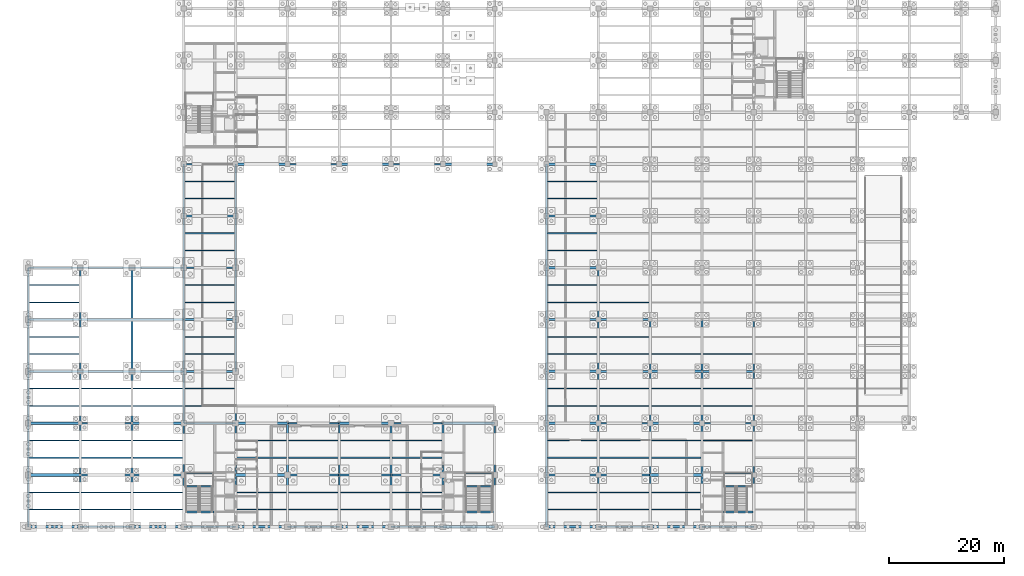
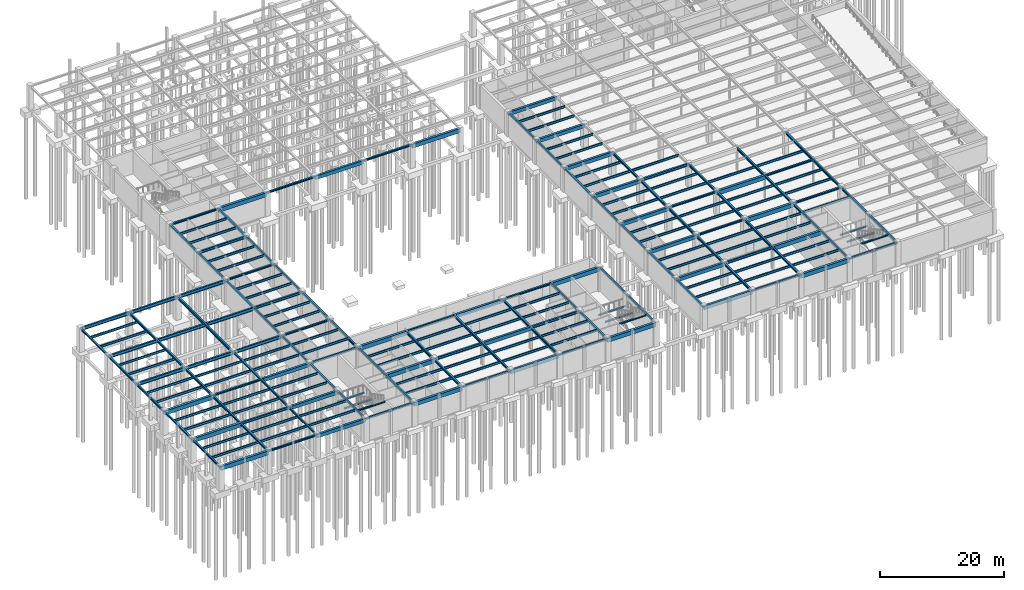
# One storey, part 33 of 49: 211 beams.
"""IFC4 building model written with IfcOpenShell, lengths in metres."""

from ifc_helpers import new_model, si_unit, direction, frame, origin, origin_2d, place, context, subcontext, project, spatial, rectangle, i_section, extrude, material, material_profile, profile_set, type_object, element, save


model = new_model("IFC4")

# Units and contexts
model_context = context("Model", 3, precision=1e-05, world=origin(), true_north=direction((0.0, 1.0)))
body_context = subcontext(model_context, "Body", "Model", "MODEL_VIEW")
ifc_project = project(units=[si_unit("LENGTHUNIT", "METRE"), si_unit("AREAUNIT", "SQUARE_METRE"), si_unit("VOLUMEUNIT", "CUBIC_METRE"), si_unit("PLANEANGLEUNIT", "RADIAN"), si_unit("MASSUNIT", "GRAM", prefix="KILO")], contexts=[model_context])

# Site, building, storey
site_placement = place(None, origin())
site = spatial("IfcSite", under=ifc_project, at=site_placement, CompositionType="ELEMENT")
building_placement = place(site_placement, origin())
building = spatial("IfcBuilding", under=site, at=building_placement, Name="Lykobir Media Centre", CompositionType="ELEMENT")
storey_placement = place(building_placement, frame((0.0, 0.0, -4.800048828125)))
storey = spatial("IfcBuildingStorey", under=building, at=storey_placement, Name="B1", CompositionType="ELEMENT", Elevation=-4.800048828125)

# Beams
ifc_material_1 = material(Name="Steel S355", Category="steel")
ifc_material_profile_1 = material_profile(ifc_material_1, i_section(OverallWidth=0.300048828125, OverallDepth=0.43994140625, WebThickness=0.011474609375, FlangeThickness=0.02099609375, at=origin_2d()), Name="HEA 450")
ifc_profile_set_1 = profile_set([ifc_material_profile_1], Name="Steel S355")
beam_type_1 = type_object("IfcBeamType", Name="BM-HEA450", PredefinedType="BEAM", material=ifc_profile_set_1)
for number, where, z_axis, x_axis, name in (
    (1, (9.0, 0.0, 4.330078125), (0.0, 1.0, 0.0), (-1.0, 0.0, 0.0), "Beam BM-B1-0090-0000-0090-0090--47"),
    (2, (9.0, 9.0, 4.330078125), (0.0, 1.0, 0.0), (-1.0, 0.0, 0.0), "Beam BM-B1-0090-0090-0090-0180--47"),
    (3, (9.0, 18.0, 4.330078125), (0.0, 1.0, 0.0), (-1.0, 0.0, 0.0), "Beam BM-B1-0090-0180-0090-0270--47"),
    (4, (9.0, 27.0, 4.330078125), (0.0, 1.0, 0.0), (-1.0, 0.0, 0.0), "Beam BM-B1-0090-0270-0090-0360--47"),
    (5, (9.0, 36.0, 4.330078125), (0.0, 1.0, 0.0), (-1.0, 0.0, 0.0), "Beam BM-B1-0090-0360-0090-0450--47"),
    (6, (36.0, 0.0, 4.330078125), (0.0, 1.0, 0.0), (-1.0, 0.0, 0.0), "Beam BM-B1-0360-0000-0360-0090--47"),
    (7, (36.0, 9.0, 4.330078125), (0.0, 1.0, 0.0), (-1.0, 0.0, 0.0), "Beam BM-B1-0360-0090-0360-0180--47"),
    (8, (36.0, 18.0, 4.330078125), (0.0, 1.0, 0.0), (-1.0, 0.0, 0.0), "Beam BM-B1-0360-0180-0360-0270--47"),
    (9, (36.0, 27.0, 4.330078125), (0.0, 1.0, 0.0), (-1.0, 0.0, 0.0), "Beam BM-B1-0360-0270-0360-0360--47"),
    (10, (36.0, 36.0, 4.330078125), (0.0, 1.0, 0.0), (-1.0, 0.0, 0.0), "Beam BM-B1-0360-0360-0360-0450--47"),
    (11, (36.0, 45.0, 4.330078125), (0.0, 1.0, 0.0), (-1.0, 0.0, 0.0), "Beam BM-B1-0360-0450-0360-0540--47"),
    (12, (36.0, 54.0, 4.330078125), (0.0, 1.0, 0.0), (-1.0, 0.0, 0.0), "Beam BM-B1-0360-0540-0360-0630--47"),
    (13, (45.0, 0.0, 4.330078125), (0.0, 1.0, 0.0), (-1.0, 0.0, 0.0), "Beam BM-B1-0450-0000-0450-0090--47"),
    (14, (45.0, 9.0, 4.330078125), (0.0, 1.0, 0.0), (-1.0, 0.0, 0.0), "Beam BM-B1-0450-0090-0450-0180--47"),
    (15, (54.0, 0.0, 4.330078125), (0.0, 1.0, 0.0), (-1.0, 0.0, 0.0), "Beam BM-B1-0540-0000-0540-0090--47"),
    (16, (54.0, 9.0, 4.330078125), (0.0, 1.0, 0.0), (-1.0, 0.0, 0.0), "Beam BM-B1-0540-0090-0540-0180--47"),
    (17, (63.0, 0.0, 4.330078125), (0.0, 1.0, 0.0), (-1.0, 0.0, 0.0), "Beam BM-B1-0630-0000-0630-0090--47"),
    (18, (63.0, 9.0, 4.330078125), (0.0, 1.0, 0.0), (-1.0, 0.0, 0.0), "Beam BM-B1-0630-0090-0630-0180--47"),
    (19, (72.0, 0.0, 4.330078125), (0.0, 1.0, 0.0), (-1.0, 0.0, 0.0), "Beam BM-B1-0720-0000-0720-0090--47"),
    (20, (72.0, 9.0, 4.330078125), (0.0, 1.0, 0.0), (-1.0, 0.0, 0.0), "Beam BM-B1-0720-0090-0720-0180--47"),
    (21, (99.0, 0.0, 4.330078125), (0.0, 1.0, 0.0), (-1.0, 0.0, 0.0), "Beam BM-B1-0990-0000-0990-0090--47"),
    (22, (99.0, 9.0, 4.330078125), (0.0, 1.0, 0.0), (-1.0, 0.0, 0.0), "Beam BM-B1-0990-0090-0990-0180--47"),
    (23, (99.0, 18.0, 4.330078125), (0.0, 1.0, 0.0), (-1.0, 0.0, 0.0), "Beam BM-B1-0990-0180-0990-0270--47"),
    (24, (99.0, 27.0, 4.330078125), (0.0, 1.0, 0.0), (-1.0, 0.0, 0.0), "Beam BM-B1-0990-0270-0990-0360--47"),
    (25, (99.0, 36.0, 4.330078125), (0.0, 1.0, 0.0), (-1.0, 0.0, 0.0), "Beam BM-B1-0990-0360-0990-0450--47"),
    (26, (108.0, 0.0, 4.330078125), (0.0, 1.0, 0.0), (-1.0, 0.0, 0.0), "Beam BM-B1-1080-0000-1080-0090--47"),
    (27, (108.0, 9.0, 4.330078125), (0.0, 1.0, 0.0), (-1.0, 0.0, 0.0), "Beam BM-B1-1080-0090-1080-0180--47"),
    (28, (108.0, 18.0, 4.330078125), (0.0, 1.0, 0.0), (-1.0, 0.0, 0.0), "Beam BM-B1-1080-0180-1080-0270--47"),
    (29, (108.0, 27.0, 4.330078125), (0.0, 1.0, 0.0), (-1.0, 0.0, 0.0), "Beam BM-B1-1080-0270-1080-0360--47"),
    (30, (117.0, 0.0, 4.330078125), (0.0, 1.0, 0.0), (-1.0, 0.0, 0.0), "Beam BM-B1-1170-0000-1170-0090--47"),
    (31, (117.0, 9.0, 4.330078125), (0.0, 1.0, 0.0), (-1.0, 0.0, 0.0), "Beam BM-B1-1170-0090-1170-0180--47"),
    (32, (117.0, 18.0, 4.330078125), (0.0, 1.0, 0.0), (-1.0, 0.0, 0.0), "Beam BM-B1-1170-0180-1170-0270--47"),
    (33, (117.0, 27.0, 4.330078125), (0.0, 1.0, 0.0), (-1.0, 0.0, 0.0), "Beam BM-B1-1170-0270-1170-0360--47"),
    (34, (126.0, 0.0, 4.330078125), (0.0, 1.0, 0.0), (-1.0, 0.0, 0.0), "Beam BM-B1-1260-0000-1260-0090--47"),
    (35, (126.0, 9.0, 4.330078125), (0.0, 1.0, 0.0), (-1.0, 0.0, 0.0), "Beam BM-B1-1260-0090-1260-0180--47"),
    (36, (126.0, 18.0, 4.330078125), (0.0, 1.0, 0.0), (-1.0, 0.0, 0.0), "Beam BM-B1-1260-0180-1260-0270--47"),
    (37, (126.0, 27.0, 4.330078125), (0.0, 1.0, 0.0), (-1.0, 0.0, 0.0), "Beam BM-B1-1260-0270-1260-0360--47"),
):
    element("IfcBeam", number, at=place(storey_placement, frame(where, z_axis=z_axis, x_axis=x_axis)), inside=storey, type_object=beam_type_1, Name=name, PredefinedType="BEAM", context=body_context, shape_type="SweptSolid", body=[
        extrude(i_section(OverallWidth=0.300048828125, OverallDepth=0.43994140625, WebThickness=0.011474609375, FlangeThickness=0.02099609375, at=origin_2d()), origin(), (0.0, 0.0, 1.0), 9.0),
    ])
ifc_material_profile_2 = material_profile(ifc_material_1, i_section(OverallWidth=0.300048828125, OverallDepth=0.489990234375, WebThickness=0.011962890625, FlangeThickness=0.02294921875, at=origin_2d()), Name="HEA 500")
ifc_profile_set_2 = profile_set([ifc_material_profile_2], Name="Steel S355")
beam_type_2 = type_object("IfcBeamType", Name="BM-HEA500", PredefinedType="BEAM", material=ifc_profile_set_2)
for number, where, z_axis, x_axis, name in (
    (38, (9.0, 9.0, 4.304931640625), (1.0, 0.0, 0.0), (0.0, 1.0, 0.0), "Beam BM-B1-0090-0090-0180-0090--50"),
    (39, (45.0, 9.0, 4.304931640625), (1.0, 0.0, 0.0), (0.0, 1.0, 0.0), "Beam BM-B1-0450-0090-0540-0090--50"),
    (40, (63.0, 9.0, 4.304931640625), (1.0, 0.0, 0.0), (0.0, 1.0, 0.0), "Beam BM-B1-0630-0090-0720-0090--50"),
    (41, (99.0, 9.0, 4.304931640625), (1.0, 0.0, 0.0), (0.0, 1.0, 0.0), "Beam BM-B1-0990-0090-1080-0090--50"),
    (42, (27.0, 36.0, 4.304931640625), (1.0, 0.0, 0.0), (0.0, 1.0, 0.0), "Beam BM-B1-0270-0360-0360-0360--50"),
    (43, (99.0, 36.0, 4.304931640625), (1.0, 0.0, 0.0), (0.0, 1.0, 0.0), "Beam BM-B1-0990-0360-1080-0360--50"),
    (44, (27.0, 54.0, 4.304931640625), (1.0, 0.0, 0.0), (0.0, 1.0, 0.0), "Beam BM-B1-0270-0540-0360-0540--50"),
):
    element("IfcBeam", number, at=place(storey_placement, frame(where, z_axis=z_axis, x_axis=x_axis)), inside=storey, type_object=beam_type_2, Name=name, PredefinedType="BEAM", context=body_context, shape_type="SweptSolid", body=[
        extrude(i_section(OverallWidth=0.300048828125, OverallDepth=0.489990234375, WebThickness=0.011962890625, FlangeThickness=0.02294921875, at=origin_2d()), origin(), (0.0, 0.0, 1.0), 9.0),
    ])
ifc_material_profile_3 = material_profile(ifc_material_1, i_section(OverallWidth=0.300048828125, OverallDepth=0.550048828125, WebThickness=0.014892578125, FlangeThickness=0.029052734375, at=origin_2d()), Name="HEB 550")
ifc_profile_set_3 = profile_set([ifc_material_profile_3], Name="Steel S355")
beam_type_3 = type_object("IfcBeamType", Name="BM-HEB550", PredefinedType="BEAM", material=ifc_profile_set_3)
beam_placement = place(storey_placement, frame((18.0, 27.0, 4.275146484375), z_axis=(0.0, 1.0, 0.0), x_axis=(-1.0, 0.0, 0.0)))
element("IfcBeam", 45, at=beam_placement, inside=storey, type_object=beam_type_3, Name="Beam BM-B1-0180-0270-0180-0450--52", PredefinedType="BEAM", context=body_context, shape_type="SweptSolid", body=[
    extrude(i_section(OverallWidth=0.300048828125, OverallDepth=0.550048828125, WebThickness=0.014892578125, FlangeThickness=0.029052734375, at=origin_2d()), origin(), (0.0, 0.0, 1.0), 18.0),
])
ifc_material_profile_4 = material_profile(ifc_material_1, i_section(OverallWidth=0.300048828125, OverallDepth=0.64990234375, WebThickness=0.01611328125, FlangeThickness=0.031005859375, at=origin_2d()), Name="HEB 650")
ifc_profile_set_4 = profile_set([ifc_material_profile_4], Name="Steel S355")
beam_type_4 = type_object("IfcBeamType", Name="BM-HEB650", PredefinedType="BEAM", material=ifc_profile_set_4)
for number, where, z_axis, x_axis, name in (
    (46, (0.0, 27.0, 4.22509765625), (1.0, 0.0, 0.0), (0.0, 1.0, 0.0), "Beam BM-B1-0000-0270-0270-0270--57"),
    (47, (0.0, 36.0, 4.22509765625), (1.0, 0.0, 0.0), (0.0, 1.0, 0.0), "Beam BM-B1-0000-0360-0270-0360--57"),
    (48, (0.0, 45.0, 4.22509765625), (1.0, 0.0, 0.0), (0.0, 1.0, 0.0), "Beam BM-B1-0000-0450-0270-0450--57"),
):
    element("IfcBeam", number, at=place(storey_placement, frame(where, z_axis=z_axis, x_axis=x_axis)), inside=storey, type_object=beam_type_4, Name=name, PredefinedType="BEAM", context=body_context, shape_type="SweptSolid", body=[
        extrude(i_section(OverallWidth=0.300048828125, OverallDepth=0.64990234375, WebThickness=0.01611328125, FlangeThickness=0.031005859375, at=origin_2d()), origin(), (0.0, 0.0, 1.0), 27.0),
    ])
ifc_material_2 = material(Name="Concrete C40/50", Category="concrete")
ifc_material_profile_5 = material_profile(ifc_material_2, rectangle(XDim=0.39990234375, YDim=0.699951171875, at=origin_2d()), Name="RC BEAM 400x700")
ifc_profile_set_5 = profile_set([ifc_material_profile_5], Name="Concrete C40/50")
beam_type_5 = type_object("IfcBeamType", Name="BM-RC700", PredefinedType="BEAM", material=ifc_profile_set_5)
for number, where, z_axis, x_axis, name in (
    (49, (18.0, 0.0, 4.199951171875), (1.0, 0.0, 0.0), (0.0, 1.0, 0.0), "Beam BM-B1-0180-0000-0270-0000--60"),
    (50, (54.0, 0.0, 4.199951171875), (1.0, 0.0, 0.0), (0.0, 1.0, 0.0), "Beam BM-B1-0540-0000-0630-0000--60"),
    (51, (90.0, 0.0, 4.199951171875), (1.0, 0.0, 0.0), (0.0, 1.0, 0.0), "Beam BM-B1-0900-0000-0990-0000--60"),
    (52, (18.0, 9.0, 4.199951171875), (1.0, 0.0, 0.0), (0.0, 1.0, 0.0), "Beam BM-B1-0180-0090-0270-0090--60"),
    (53, (54.0, 9.0, 4.199951171875), (1.0, 0.0, 0.0), (0.0, 1.0, 0.0), "Beam BM-B1-0540-0090-0630-0090--60"),
    (54, (90.0, 9.0, 4.199951171875), (1.0, 0.0, 0.0), (0.0, 1.0, 0.0), "Beam BM-B1-0900-0090-0990-0090--60"),
    (55, (18.0, 18.0, 4.199951171875), (1.0, 0.0, 0.0), (0.0, 1.0, 0.0), "Beam BM-B1-0180-0180-0270-0180--60"),
    (56, (54.0, 18.0, 4.199951171875), (1.0, 0.0, 0.0), (0.0, 1.0, 0.0), "Beam BM-B1-0540-0180-0630-0180--60"),
    (57, (90.0, 18.0, 4.199951171875), (1.0, 0.0, 0.0), (0.0, 1.0, 0.0), "Beam BM-B1-0900-0180-0990-0180--60"),
    (58, (90.0, 27.0, 4.199951171875), (1.0, 0.0, 0.0), (0.0, 1.0, 0.0), "Beam BM-B1-0900-0270-0990-0270--60"),
    (59, (90.0, 36.0, 4.199951171875), (1.0, 0.0, 0.0), (0.0, 1.0, 0.0), "Beam BM-B1-0900-0360-0990-0360--60"),
    (60, (90.0, 45.0, 4.199951171875), (1.0, 0.0, 0.0), (0.0, 1.0, 0.0), "Beam BM-B1-0900-0450-0990-0450--60"),
    (61, (90.0, 54.0, 4.199951171875), (1.0, 0.0, 0.0), (0.0, 1.0, 0.0), "Beam BM-B1-0900-0540-0990-0540--60"),
    (62, (54.0, 63.0, 4.199951171875), (1.0, 0.0, 0.0), (0.0, 1.0, 0.0), "Beam BM-B1-0540-0630-0630-0630--60"),
    (63, (90.0, 63.0, 4.199951171875), (1.0, 0.0, 0.0), (0.0, 1.0, 0.0), "Beam BM-B1-0900-0630-0990-0630--60"),
):
    element("IfcBeam", number, at=place(storey_placement, frame(where, z_axis=z_axis, x_axis=x_axis)), inside=storey, type_object=beam_type_5, Name=name, PredefinedType="BEAM", context=body_context, shape_type="SweptSolid", body=[
        extrude(rectangle(XDim=0.39990234375, YDim=0.699951171875, at=origin_2d()), origin(), (0.0, 0.0, 1.0), 9.0),
    ])
ifc_material_profile_6 = material_profile(ifc_material_2, rectangle(XDim=0.449951171875, YDim=0.800048828125, at=origin_2d()), Name="RC BEAM 450x800")
ifc_profile_set_6 = profile_set([ifc_material_profile_6], Name="Concrete C40/50")
beam_type_6 = type_object("IfcBeamType", Name="BM-RC800", PredefinedType="BEAM", material=ifc_profile_set_6)
for number, where, z_axis, x_axis, name in (
    (64, (0.0, 0.0, 4.150146484375), (1.0, 0.0, 0.0), (0.0, 1.0, 0.0), "Beam BM-B1-0000-0000-0090-0000--65"),
    (65, (36.0, 0.0, 4.150146484375), (1.0, 0.0, 0.0), (0.0, 1.0, 0.0), "Beam BM-B1-0360-0000-0450-0000--65"),
    (66, (72.0, 0.0, 4.150146484375), (1.0, 0.0, 0.0), (0.0, 1.0, 0.0), "Beam BM-B1-0720-0000-0810-0000--65"),
    (67, (108.0, 0.0, 4.150146484375), (1.0, 0.0, 0.0), (0.0, 1.0, 0.0), "Beam BM-B1-1080-0000-1170-0000--65"),
    (68, (0.0, 9.0, 4.150146484375), (1.0, 0.0, 0.0), (0.0, 1.0, 0.0), "Beam BM-B1-0000-0090-0090-0090--65"),
    (69, (36.0, 9.0, 4.150146484375), (1.0, 0.0, 0.0), (0.0, 1.0, 0.0), "Beam BM-B1-0360-0090-0450-0090--65"),
    (70, (108.0, 9.0, 4.150146484375), (1.0, 0.0, 0.0), (0.0, 1.0, 0.0), "Beam BM-B1-1080-0090-1170-0090--65"),
    (71, (0.0, 18.0, 4.150146484375), (1.0, 0.0, 0.0), (0.0, 1.0, 0.0), "Beam BM-B1-0000-0180-0090-0180--65"),
    (72, (36.0, 18.0, 4.150146484375), (1.0, 0.0, 0.0), (0.0, 1.0, 0.0), "Beam BM-B1-0360-0180-0450-0180--65"),
    (73, (72.0, 18.0, 4.150146484375), (1.0, 0.0, 0.0), (0.0, 1.0, 0.0), "Beam BM-B1-0720-0180-0810-0180--65"),
    (74, (108.0, 18.0, 4.150146484375), (1.0, 0.0, 0.0), (0.0, 1.0, 0.0), "Beam BM-B1-1080-0180-1170-0180--65"),
    (75, (108.0, 27.0, 4.150146484375), (1.0, 0.0, 0.0), (0.0, 1.0, 0.0), "Beam BM-B1-1080-0270-1170-0270--65"),
    (76, (36.0, 63.0, 4.150146484375), (1.0, 0.0, 0.0), (0.0, 1.0, 0.0), "Beam BM-B1-0360-0630-0450-0630--65"),
    (77, (72.0, 63.0, 4.150146484375), (1.0, 0.0, 0.0), (0.0, 1.0, 0.0), "Beam BM-B1-0720-0630-0810-0630--65"),
):
    element("IfcBeam", number, at=place(storey_placement, frame(where, z_axis=z_axis, x_axis=x_axis)), inside=storey, type_object=beam_type_6, Name=name, PredefinedType="BEAM", context=body_context, shape_type="SweptSolid", body=[
        extrude(rectangle(XDim=0.449951171875, YDim=0.800048828125, at=origin_2d()), origin(), (0.0, 0.0, 1.0), 9.0),
    ])
ifc_material_profile_7 = material_profile(ifc_material_1, i_section(OverallWidth=0.260009765625, OverallDepth=0.25, WebThickness=0.007568359375, FlangeThickness=0.012451171875, at=origin_2d()), Name="HEA 260")
ifc_profile_set_7 = profile_set([ifc_material_profile_7], Name="Steel S355")
beam_type_7 = type_object("IfcBeamType", Name="BM-ST260", PredefinedType="BEAM", material=ifc_profile_set_7)
for number, where, z_axis, x_axis, name in (
    (78, (27.1298828125, 9.280029296875, 2.080078125), (1.0, 0.0, 0.0), (0.0, 1.0, 0.0), "ST-1 B1 half-landing support beam"),
    (79, (75.72998046875, 9.280029296875, 2.080078125), (1.0, 0.0, 0.0), (0.0, 1.0, 0.0), "ST-2 B1 half-landing support beam"),
    (80, (120.72998046875, 9.280029296875, 2.090087890625), (1.0, 0.0, 0.0), (0.0, 1.0, 0.0), "ST-5 B1 half-landing support beam"),
):
    element("IfcBeam", number, at=place(storey_placement, frame(where, z_axis=z_axis, x_axis=x_axis)), inside=storey, type_object=beam_type_7, Name=name, PredefinedType="BEAM", context=body_context, shape_type="SweptSolid", body=[
        extrude(i_section(OverallWidth=0.260009765625, OverallDepth=0.25, WebThickness=0.007568359375, FlangeThickness=0.012451171875, at=origin_2d()), origin(), (0.0, 0.0, 1.0), 5.14013671875),
    ])
ifc_material_profile_8 = material_profile(ifc_material_1, i_section(OverallWidth=0.280029296875, OverallDepth=0.27001953125, WebThickness=0.008056640625, FlangeThickness=0.012939453125, at=origin_2d()), Name="HEA 280")
ifc_profile_set_8 = profile_set([ifc_material_profile_8], Name="Steel S355")
beam_type_8 = type_object("IfcBeamType", Name="BM-ST280", PredefinedType="BEAM", material=ifc_profile_set_8)
for number, where, z_axis, x_axis, name in (
    (81, (27.1298828125, 2.580078125, 4.4150390625), (1.0, 0.0, 0.0), (0.0, 1.0, 0.0), "ST-1 B1 arrival trimmer beam"),
    (82, (27.1298828125, 7.080078125, 2.070068359375), (1.0, 0.0, 0.0), (0.0, 1.0, 0.0), "ST-1 B1 mid-landing trimmer beam"),
    (83, (75.72998046875, 2.580078125, 4.4150390625), (1.0, 0.0, 0.0), (0.0, 1.0, 0.0), "ST-2 B1 arrival trimmer beam"),
    (84, (75.72998046875, 7.080078125, 2.070068359375), (1.0, 0.0, 0.0), (0.0, 1.0, 0.0), "ST-2 B1 mid-landing trimmer beam"),
    (85, (120.72998046875, 2.580078125, 4.4150390625), (1.0, 0.0, 0.0), (0.0, 1.0, 0.0), "ST-5 B1 arrival trimmer beam"),
    (86, (120.72998046875, 7.080078125, 2.080078125), (1.0, 0.0, 0.0), (0.0, 1.0, 0.0), "ST-5 B1 mid-landing trimmer beam"),
):
    element("IfcBeam", number, at=place(storey_placement, frame(where, z_axis=z_axis, x_axis=x_axis)), inside=storey, type_object=beam_type_8, Name=name, PredefinedType="BEAM", context=body_context, shape_type="SweptSolid", body=[
        extrude(i_section(OverallWidth=0.280029296875, OverallDepth=0.27001953125, WebThickness=0.008056640625, FlangeThickness=0.012939453125, at=origin_2d()), origin(), (0.0, 0.0, 1.0), 5.14013671875),
    ])
ifc_material_profile_9 = material_profile(ifc_material_1, i_section(OverallWidth=0.18994140625, OverallDepth=0.449951171875, WebThickness=0.009521484375, FlangeThickness=0.0146484375, at=origin_2d()), Name="IPE 450")
ifc_profile_set_9 = profile_set([ifc_material_profile_9], Name="Steel S355")
beam_type_9 = type_object("IfcBeamType", Name="JS-IPE450", PredefinedType="JOIST", material=ifc_profile_set_9)
for number, where, z_axis, x_axis, name in (
    (87, (0.14990234375, 3.0, 4.324951171875), (1.0, 0.0, 0.0), (0.0, 1.0, 0.0), "Beam BM-B1-0002-0030-0088-0030--48"),
    (88, (0.14990234375, 6.0, 4.324951171875), (1.0, 0.0, 0.0), (0.0, 1.0, 0.0), "Beam BM-B1-0002-0060-0088-0060--48"),
    (89, (0.14990234375, 12.0, 4.324951171875), (1.0, 0.0, 0.0), (0.0, 1.0, 0.0), "Beam BM-B1-0002-0120-0088-0120--48"),
    (90, (0.14990234375, 15.0, 4.324951171875), (1.0, 0.0, 0.0), (0.0, 1.0, 0.0), "Beam BM-B1-0002-0150-0088-0150--48"),
    (91, (0.14990234375, 21.0, 4.324951171875), (1.0, 0.0, 0.0), (0.0, 1.0, 0.0), "Beam BM-B1-0002-0210-0088-0210--48"),
    (92, (0.14990234375, 24.0, 4.324951171875), (1.0, 0.0, 0.0), (0.0, 1.0, 0.0), "Beam BM-B1-0002-0240-0088-0240--48"),
    (93, (0.14990234375, 30.0, 4.324951171875), (1.0, 0.0, 0.0), (0.0, 1.0, 0.0), "Beam BM-B1-0002-0300-0088-0300--48"),
    (94, (0.14990234375, 33.0, 4.324951171875), (1.0, 0.0, 0.0), (0.0, 1.0, 0.0), "Beam BM-B1-0002-0330-0088-0330--48"),
    (95, (0.14990234375, 39.0, 4.324951171875), (1.0, 0.0, 0.0), (0.0, 1.0, 0.0), "Beam BM-B1-0002-0390-0088-0390--48"),
    (96, (0.14990234375, 42.0, 4.324951171875), (1.0, 0.0, 0.0), (0.0, 1.0, 0.0), "Beam BM-B1-0002-0420-0088-0420--48"),
    (97, (9.14990234375, 3.0, 4.324951171875), (1.0, 0.0, 0.0), (0.0, 1.0, 0.0), "Beam BM-B1-0092-0030-0178-0030--48"),
    (98, (9.14990234375, 6.0, 4.324951171875), (1.0, 0.0, 0.0), (0.0, 1.0, 0.0), "Beam BM-B1-0092-0060-0178-0060--48"),
    (99, (9.14990234375, 12.0, 4.324951171875), (1.0, 0.0, 0.0), (0.0, 1.0, 0.0), "Beam BM-B1-0092-0120-0178-0120--48"),
    (100, (9.14990234375, 15.0, 4.324951171875), (1.0, 0.0, 0.0), (0.0, 1.0, 0.0), "Beam BM-B1-0092-0150-0178-0150--48"),
    (101, (9.14990234375, 21.0, 4.324951171875), (1.0, 0.0, 0.0), (0.0, 1.0, 0.0), "Beam BM-B1-0092-0210-0178-0210--48"),
    (102, (9.14990234375, 24.0, 4.324951171875), (1.0, 0.0, 0.0), (0.0, 1.0, 0.0), "Beam BM-B1-0092-0240-0178-0240--48"),
    (103, (18.14990234375, 3.0, 4.324951171875), (1.0, 0.0, 0.0), (0.0, 1.0, 0.0), "Beam BM-B1-0182-0030-0268-0030--48"),
    (104, (18.14990234375, 6.0, 4.324951171875), (1.0, 0.0, 0.0), (0.0, 1.0, 0.0), "Beam BM-B1-0182-0060-0268-0060--48"),
    (105, (18.14990234375, 12.0, 4.324951171875), (1.0, 0.0, 0.0), (0.0, 1.0, 0.0), "Beam BM-B1-0182-0120-0268-0120--48"),
    (106, (18.14990234375, 15.0, 4.324951171875), (1.0, 0.0, 0.0), (0.0, 1.0, 0.0), "Beam BM-B1-0182-0150-0268-0150--48"),
    (107, (18.14990234375, 21.0, 4.324951171875), (1.0, 0.0, 0.0), (0.0, 1.0, 0.0), "Beam BM-B1-0182-0210-0268-0210--48"),
    (108, (18.14990234375, 24.0, 4.324951171875), (1.0, 0.0, 0.0), (0.0, 1.0, 0.0), "Beam BM-B1-0182-0240-0268-0240--48"),
    (109, (27.14990234375, 21.0, 4.324951171875), (1.0, 0.0, 0.0), (0.0, 1.0, 0.0), "Beam BM-B1-0272-0210-0358-0210--48"),
    (110, (27.14990234375, 24.0, 4.324951171875), (1.0, 0.0, 0.0), (0.0, 1.0, 0.0), "Beam BM-B1-0272-0240-0358-0240--48"),
    (111, (27.14990234375, 30.0, 4.324951171875), (1.0, 0.0, 0.0), (0.0, 1.0, 0.0), "Beam BM-B1-0272-0300-0358-0300--48"),
    (112, (27.14990234375, 33.0, 4.324951171875), (1.0, 0.0, 0.0), (0.0, 1.0, 0.0), "Beam BM-B1-0272-0330-0358-0330--48"),
    (113, (27.14990234375, 39.0, 4.324951171875), (1.0, 0.0, 0.0), (0.0, 1.0, 0.0), "Beam BM-B1-0272-0390-0358-0390--48"),
    (114, (27.14990234375, 42.0, 4.324951171875), (1.0, 0.0, 0.0), (0.0, 1.0, 0.0), "Beam BM-B1-0272-0420-0358-0420--48"),
    (115, (27.14990234375, 48.0, 4.324951171875), (1.0, 0.0, 0.0), (0.0, 1.0, 0.0), "Beam BM-B1-0272-0480-0358-0480--48"),
    (116, (27.14990234375, 51.0, 4.324951171875), (1.0, 0.0, 0.0), (0.0, 1.0, 0.0), "Beam BM-B1-0272-0510-0358-0510--48"),
    (117, (27.14990234375, 57.0, 4.324951171875), (1.0, 0.0, 0.0), (0.0, 1.0, 0.0), "Beam BM-B1-0272-0570-0358-0570--48"),
    (118, (27.14990234375, 60.0, 4.324951171875), (1.0, 0.0, 0.0), (0.0, 1.0, 0.0), "Beam BM-B1-0272-0600-0358-0600--48"),
    (119, (36.14990234375, 3.0, 4.324951171875), (1.0, 0.0, 0.0), (0.0, 1.0, 0.0), "Beam BM-B1-0362-0030-0448-0030--48"),
    (120, (36.14990234375, 6.0, 4.324951171875), (1.0, 0.0, 0.0), (0.0, 1.0, 0.0), "Beam BM-B1-0362-0060-0448-0060--48"),
    (121, (36.14990234375, 12.0, 4.324951171875), (1.0, 0.0, 0.0), (0.0, 1.0, 0.0), "Beam BM-B1-0362-0120-0448-0120--48"),
    (122, (36.14990234375, 15.0, 4.324951171875), (1.0, 0.0, 0.0), (0.0, 1.0, 0.0), "Beam BM-B1-0362-0150-0448-0150--48"),
    (123, (45.14990234375, 3.0, 4.324951171875), (1.0, 0.0, 0.0), (0.0, 1.0, 0.0), "Beam BM-B1-0452-0030-0538-0030--48"),
    (124, (45.14990234375, 6.0, 4.324951171875), (1.0, 0.0, 0.0), (0.0, 1.0, 0.0), "Beam BM-B1-0452-0060-0538-0060--48"),
    (125, (45.14990234375, 12.0, 4.324951171875), (1.0, 0.0, 0.0), (0.0, 1.0, 0.0), "Beam BM-B1-0452-0120-0538-0120--48"),
    (126, (45.14990234375, 15.0, 4.324951171875), (1.0, 0.0, 0.0), (0.0, 1.0, 0.0), "Beam BM-B1-0452-0150-0538-0150--48"),
    (127, (54.14990234375, 3.0, 4.324951171875), (1.0, 0.0, 0.0), (0.0, 1.0, 0.0), "Beam BM-B1-0542-0030-0628-0030--48"),
    (128, (54.14990234375, 6.0, 4.324951171875), (1.0, 0.0, 0.0), (0.0, 1.0, 0.0), "Beam BM-B1-0542-0060-0628-0060--48"),
    (129, (54.14990234375, 12.0, 4.324951171875), (1.0, 0.0, 0.0), (0.0, 1.0, 0.0), "Beam BM-B1-0542-0120-0628-0120--48"),
    (130, (54.14990234375, 15.0, 4.324951171875), (1.0, 0.0, 0.0), (0.0, 1.0, 0.0), "Beam BM-B1-0542-0150-0628-0150--48"),
    (131, (63.14990234375, 3.0, 4.324951171875), (1.0, 0.0, 0.0), (0.0, 1.0, 0.0), "Beam BM-B1-0632-0030-0718-0030--48"),
    (132, (63.14990234375, 6.0, 4.324951171875), (1.0, 0.0, 0.0), (0.0, 1.0, 0.0), "Beam BM-B1-0632-0060-0718-0060--48"),
    (133, (63.14990234375, 12.0, 4.324951171875), (1.0, 0.0, 0.0), (0.0, 1.0, 0.0), "Beam BM-B1-0632-0120-0718-0120--48"),
    (134, (63.14990234375, 15.0, 4.324951171875), (1.0, 0.0, 0.0), (0.0, 1.0, 0.0), "Beam BM-B1-0632-0150-0718-0150--48"),
    (135, (90.14990234375, 3.0, 4.324951171875), (1.0, 0.0, 0.0), (0.0, 1.0, 0.0), "Beam BM-B1-0902-0030-0988-0030--48"),
    (136, (90.14990234375, 6.0, 4.324951171875), (1.0, 0.0, 0.0), (0.0, 1.0, 0.0), "Beam BM-B1-0902-0060-0988-0060--48"),
    (137, (90.14990234375, 12.0, 4.324951171875), (1.0, 0.0, 0.0), (0.0, 1.0, 0.0), "Beam BM-B1-0902-0120-0988-0120--48"),
    (138, (90.14990234375, 15.0, 4.324951171875), (1.0, 0.0, 0.0), (0.0, 1.0, 0.0), "Beam BM-B1-0902-0150-0988-0150--48"),
    (139, (90.14990234375, 21.0, 4.324951171875), (1.0, 0.0, 0.0), (0.0, 1.0, 0.0), "Beam BM-B1-0902-0210-0988-0210--48"),
    (140, (90.14990234375, 24.0, 4.324951171875), (1.0, 0.0, 0.0), (0.0, 1.0, 0.0), "Beam BM-B1-0902-0240-0988-0240--48"),
    (141, (90.14990234375, 30.0, 4.324951171875), (1.0, 0.0, 0.0), (0.0, 1.0, 0.0), "Beam BM-B1-0902-0300-0988-0300--48"),
    (142, (90.14990234375, 33.0, 4.324951171875), (1.0, 0.0, 0.0), (0.0, 1.0, 0.0), "Beam BM-B1-0902-0330-0988-0330--48"),
    (143, (90.14990234375, 39.0, 4.324951171875), (1.0, 0.0, 0.0), (0.0, 1.0, 0.0), "Beam BM-B1-0902-0390-0988-0390--48"),
    (144, (90.14990234375, 42.0, 4.324951171875), (1.0, 0.0, 0.0), (0.0, 1.0, 0.0), "Beam BM-B1-0902-0420-0988-0420--48"),
    (145, (90.14990234375, 48.0, 4.324951171875), (1.0, 0.0, 0.0), (0.0, 1.0, 0.0), "Beam BM-B1-0902-0480-0988-0480--48"),
    (146, (90.14990234375, 51.0, 4.324951171875), (1.0, 0.0, 0.0), (0.0, 1.0, 0.0), "Beam BM-B1-0902-0510-0988-0510--48"),
    (147, (90.14990234375, 57.0, 4.324951171875), (1.0, 0.0, 0.0), (0.0, 1.0, 0.0), "Beam BM-B1-0902-0570-0988-0570--48"),
    (148, (90.14990234375, 60.0, 4.324951171875), (1.0, 0.0, 0.0), (0.0, 1.0, 0.0), "Beam BM-B1-0902-0600-0988-0600--48"),
    (149, (99.14990234375, 3.0, 4.324951171875), (1.0, 0.0, 0.0), (0.0, 1.0, 0.0), "Beam BM-B1-0992-0030-1078-0030--48"),
    (150, (99.14990234375, 6.0, 4.324951171875), (1.0, 0.0, 0.0), (0.0, 1.0, 0.0), "Beam BM-B1-0992-0060-1078-0060--48"),
    (151, (99.14990234375, 12.0, 4.324951171875), (1.0, 0.0, 0.0), (0.0, 1.0, 0.0), "Beam BM-B1-0992-0120-1078-0120--48"),
    (152, (99.14990234375, 15.0, 4.324951171875), (1.0, 0.0, 0.0), (0.0, 1.0, 0.0), "Beam BM-B1-0992-0150-1078-0150--48"),
    (153, (99.14990234375, 21.0, 4.324951171875), (1.0, 0.0, 0.0), (0.0, 1.0, 0.0), "Beam BM-B1-0992-0210-1078-0210--48"),
    (154, (99.14990234375, 24.0, 4.324951171875), (1.0, 0.0, 0.0), (0.0, 1.0, 0.0), "Beam BM-B1-0992-0240-1078-0240--48"),
    (155, (99.14990234375, 30.0, 4.324951171875), (1.0, 0.0, 0.0), (0.0, 1.0, 0.0), "Beam BM-B1-0992-0300-1078-0300--48"),
    (156, (99.14990234375, 33.0, 4.324951171875), (1.0, 0.0, 0.0), (0.0, 1.0, 0.0), "Beam BM-B1-0992-0330-1078-0330--48"),
    (157, (99.14990234375, 39.0, 4.324951171875), (1.0, 0.0, 0.0), (0.0, 1.0, 0.0), "Beam BM-B1-0992-0390-1078-0390--48"),
    (158, (108.14990234375, 3.0, 4.324951171875), (1.0, 0.0, 0.0), (0.0, 1.0, 0.0), "Beam BM-B1-1082-0030-1168-0030--48"),
    (159, (108.14990234375, 6.0, 4.324951171875), (1.0, 0.0, 0.0), (0.0, 1.0, 0.0), "Beam BM-B1-1082-0060-1168-0060--48"),
    (160, (108.14990234375, 12.0, 4.324951171875), (1.0, 0.0, 0.0), (0.0, 1.0, 0.0), "Beam BM-B1-1082-0120-1168-0120--48"),
    (161, (108.14990234375, 15.0, 4.324951171875), (1.0, 0.0, 0.0), (0.0, 1.0, 0.0), "Beam BM-B1-1082-0150-1168-0150--48"),
    (162, (108.14990234375, 21.0, 4.324951171875), (1.0, 0.0, 0.0), (0.0, 1.0, 0.0), "Beam BM-B1-1082-0210-1168-0210--48"),
    (163, (108.14990234375, 24.0, 4.324951171875), (1.0, 0.0, 0.0), (0.0, 1.0, 0.0), "Beam BM-B1-1082-0240-1168-0240--48"),
    (164, (108.14990234375, 30.0, 4.324951171875), (1.0, 0.0, 0.0), (0.0, 1.0, 0.0), "Beam BM-B1-1082-0300-1168-0300--48"),
    (165, (117.14990234375, 15.0, 4.324951171875), (1.0, 0.0, 0.0), (0.0, 1.0, 0.0), "Beam BM-B1-1172-0150-1258-0150--48"),
    (166, (117.14990234375, 21.0, 4.324951171875), (1.0, 0.0, 0.0), (0.0, 1.0, 0.0), "Beam BM-B1-1172-0210-1258-0210--48"),
    (167, (117.14990234375, 24.0, 4.324951171875), (1.0, 0.0, 0.0), (0.0, 1.0, 0.0), "Beam BM-B1-1172-0240-1258-0240--48"),
    (168, (117.14990234375, 30.0, 4.324951171875), (1.0, 0.0, 0.0), (0.0, 1.0, 0.0), "Beam BM-B1-1172-0300-1258-0300--48"),
):
    element("IfcBeam", number, at=place(storey_placement, frame(where, z_axis=z_axis, x_axis=x_axis)), inside=storey, type_object=beam_type_9, Name=name, PredefinedType="JOIST", context=body_context, shape_type="SweptSolid", body=[
        extrude(i_section(OverallWidth=0.18994140625, OverallDepth=0.449951171875, WebThickness=0.009521484375, FlangeThickness=0.0146484375, at=origin_2d()), origin(), (0.0, 0.0, 1.0), 8.7001953125),
    ])
ifc_material_profile_10 = material_profile(ifc_material_1, i_section(OverallWidth=0.300048828125, OverallDepth=0.35009765625, WebThickness=0.010009765625, FlangeThickness=0.017578125, at=origin_2d()), Name="HEA 360")
ifc_profile_set_10 = profile_set([ifc_material_profile_10], Name="Steel S355")
beam_type_10 = type_object("IfcBeamType", Name="SP-HEA360", PredefinedType="SPANDREL", material=ifc_profile_set_10)
for number, where, z_axis, x_axis, name in (
    (169, (9.0, 0.0, 4.375), (1.0, 0.0, 0.0), (0.0, 1.0, 0.0), "Beam BM-B1-0090-0000-0180-0000--42"),
    (170, (27.0, 0.0, 4.375), (1.0, 0.0, 0.0), (0.0, 1.0, 0.0), "Beam BM-B1-0270-0000-0360-0000--42"),
    (171, (45.0, 0.0, 4.375), (1.0, 0.0, 0.0), (0.0, 1.0, 0.0), "Beam BM-B1-0450-0000-0540-0000--42"),
    (172, (63.0, 0.0, 4.375), (1.0, 0.0, 0.0), (0.0, 1.0, 0.0), "Beam BM-B1-0630-0000-0720-0000--42"),
    (173, (99.0, 0.0, 4.375), (1.0, 0.0, 0.0), (0.0, 1.0, 0.0), "Beam BM-B1-0990-0000-1080-0000--42"),
    (174, (117.0, 0.0, 4.375), (1.0, 0.0, 0.0), (0.0, 1.0, 0.0), "Beam BM-B1-1170-0000-1260-0000--42"),
    (175, (9.0, 18.0, 4.375), (1.0, 0.0, 0.0), (0.0, 1.0, 0.0), "Beam BM-B1-0090-0180-0180-0180--42"),
    (176, (27.0, 18.0, 4.375), (1.0, 0.0, 0.0), (0.0, 1.0, 0.0), "Beam BM-B1-0270-0180-0360-0180--42"),
    (177, (45.0, 18.0, 4.375), (1.0, 0.0, 0.0), (0.0, 1.0, 0.0), "Beam BM-B1-0450-0180-0540-0180--42"),
    (178, (63.0, 18.0, 4.375), (1.0, 0.0, 0.0), (0.0, 1.0, 0.0), "Beam BM-B1-0630-0180-0720-0180--42"),
    (179, (99.0, 18.0, 4.375), (1.0, 0.0, 0.0), (0.0, 1.0, 0.0), "Beam BM-B1-0990-0180-1080-0180--42"),
    (180, (117.0, 18.0, 4.375), (1.0, 0.0, 0.0), (0.0, 1.0, 0.0), "Beam BM-B1-1170-0180-1260-0180--42"),
    (181, (27.0, 27.0, 4.375), (1.0, 0.0, 0.0), (0.0, 1.0, 0.0), "Beam BM-B1-0270-0270-0360-0270--42"),
    (182, (99.0, 27.0, 4.375), (1.0, 0.0, 0.0), (0.0, 1.0, 0.0), "Beam BM-B1-0990-0270-1080-0270--42"),
    (183, (117.0, 27.0, 4.375), (1.0, 0.0, 0.0), (0.0, 1.0, 0.0), "Beam BM-B1-1170-0270-1260-0270--42"),
    (184, (27.0, 45.0, 4.375), (1.0, 0.0, 0.0), (0.0, 1.0, 0.0), "Beam BM-B1-0270-0450-0360-0450--42"),
    (185, (27.0, 63.0, 4.375), (1.0, 0.0, 0.0), (0.0, 1.0, 0.0), "Beam BM-B1-0270-0630-0360-0630--42"),
    (186, (45.0, 63.0, 4.375), (1.0, 0.0, 0.0), (0.0, 1.0, 0.0), "Beam BM-B1-0450-0630-0540-0630--42"),
    (187, (63.0, 63.0, 4.375), (1.0, 0.0, 0.0), (0.0, 1.0, 0.0), "Beam BM-B1-0630-0630-0720-0630--42"),
    (188, (0.0, 0.0, 4.375), (0.0, 1.0, 0.0), (-1.0, 0.0, 0.0), "Beam BM-B1-0000-0000-0000-0090--42"),
    (189, (0.0, 9.0, 4.375), (0.0, 1.0, 0.0), (-1.0, 0.0, 0.0), "Beam BM-B1-0000-0090-0000-0180--42"),
    (190, (0.0, 18.0, 4.375), (0.0, 1.0, 0.0), (-1.0, 0.0, 0.0), "Beam BM-B1-0000-0180-0000-0270--42"),
    (191, (0.0, 27.0, 4.375), (0.0, 1.0, 0.0), (-1.0, 0.0, 0.0), "Beam BM-B1-0000-0270-0000-0360--42"),
    (192, (0.0, 36.0, 4.375), (0.0, 1.0, 0.0), (-1.0, 0.0, 0.0), "Beam BM-B1-0000-0360-0000-0450--42"),
    (193, (18.0, 0.0, 4.375), (0.0, 1.0, 0.0), (-1.0, 0.0, 0.0), "Beam BM-B1-0180-0000-0180-0090--42"),
    (194, (18.0, 9.0, 4.375), (0.0, 1.0, 0.0), (-1.0, 0.0, 0.0), "Beam BM-B1-0180-0090-0180-0180--42"),
    (195, (18.0, 18.0, 4.375), (0.0, 1.0, 0.0), (-1.0, 0.0, 0.0), "Beam BM-B1-0180-0180-0180-0270--42"),
    (196, (27.0, 0.0, 4.375), (0.0, 1.0, 0.0), (-1.0, 0.0, 0.0), "Beam BM-B1-0270-0000-0270-0090--42"),
    (197, (27.0, 9.0, 4.375), (0.0, 1.0, 0.0), (-1.0, 0.0, 0.0), "Beam BM-B1-0270-0090-0270-0180--42"),
    (198, (27.0, 18.0, 4.375), (0.0, 1.0, 0.0), (-1.0, 0.0, 0.0), "Beam BM-B1-0270-0180-0270-0270--42"),
    (199, (27.0, 27.0, 4.375), (0.0, 1.0, 0.0), (-1.0, 0.0, 0.0), "Beam BM-B1-0270-0270-0270-0360--42"),
    (200, (27.0, 36.0, 4.375), (0.0, 1.0, 0.0), (-1.0, 0.0, 0.0), "Beam BM-B1-0270-0360-0270-0450--42"),
    (201, (27.0, 45.0, 4.375), (0.0, 1.0, 0.0), (-1.0, 0.0, 0.0), "Beam BM-B1-0270-0450-0270-0540--42"),
    (202, (27.0, 54.0, 4.375), (0.0, 1.0, 0.0), (-1.0, 0.0, 0.0), "Beam BM-B1-0270-0540-0270-0630--42"),
    (203, (81.0, 0.0, 4.375), (0.0, 1.0, 0.0), (-1.0, 0.0, 0.0), "Beam BM-B1-0810-0000-0810-0090--42"),
    (204, (81.0, 9.0, 4.375), (0.0, 1.0, 0.0), (-1.0, 0.0, 0.0), "Beam BM-B1-0810-0090-0810-0180--42"),
    (205, (90.0, 0.0, 4.375), (0.0, 1.0, 0.0), (-1.0, 0.0, 0.0), "Beam BM-B1-0900-0000-0900-0090--42"),
    (206, (90.0, 9.0, 4.375), (0.0, 1.0, 0.0), (-1.0, 0.0, 0.0), "Beam BM-B1-0900-0090-0900-0180--42"),
    (207, (90.0, 18.0, 4.375), (0.0, 1.0, 0.0), (-1.0, 0.0, 0.0), "Beam BM-B1-0900-0180-0900-0270--42"),
    (208, (90.0, 27.0, 4.375), (0.0, 1.0, 0.0), (-1.0, 0.0, 0.0), "Beam BM-B1-0900-0270-0900-0360--42"),
    (209, (90.0, 36.0, 4.375), (0.0, 1.0, 0.0), (-1.0, 0.0, 0.0), "Beam BM-B1-0900-0360-0900-0450--42"),
    (210, (90.0, 45.0, 4.375), (0.0, 1.0, 0.0), (-1.0, 0.0, 0.0), "Beam BM-B1-0900-0450-0900-0540--42"),
    (211, (90.0, 54.0, 4.375), (0.0, 1.0, 0.0), (-1.0, 0.0, 0.0), "Beam BM-B1-0900-0540-0900-0630--42"),
):
    element("IfcBeam", number, at=place(storey_placement, frame(where, z_axis=z_axis, x_axis=x_axis)), inside=storey, type_object=beam_type_10, Name=name, PredefinedType="SPANDREL", context=body_context, shape_type="SweptSolid", body=[
        extrude(i_section(OverallWidth=0.300048828125, OverallDepth=0.35009765625, WebThickness=0.010009765625, FlangeThickness=0.017578125, at=origin_2d()), origin(), (0.0, 0.0, 1.0), 9.0),
    ])

save(model, "model.ifc")
